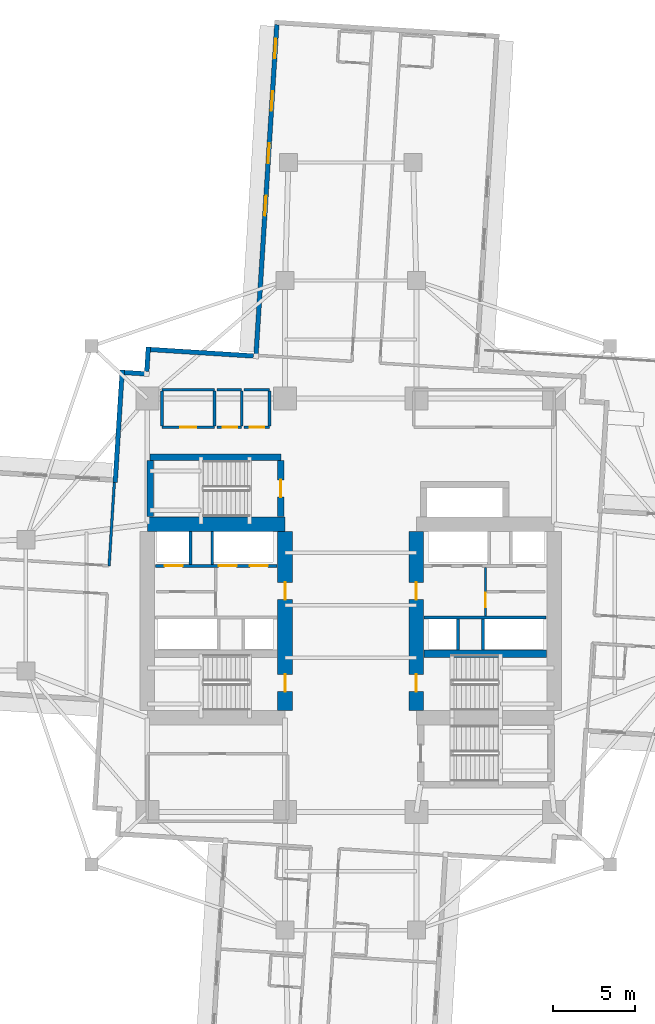
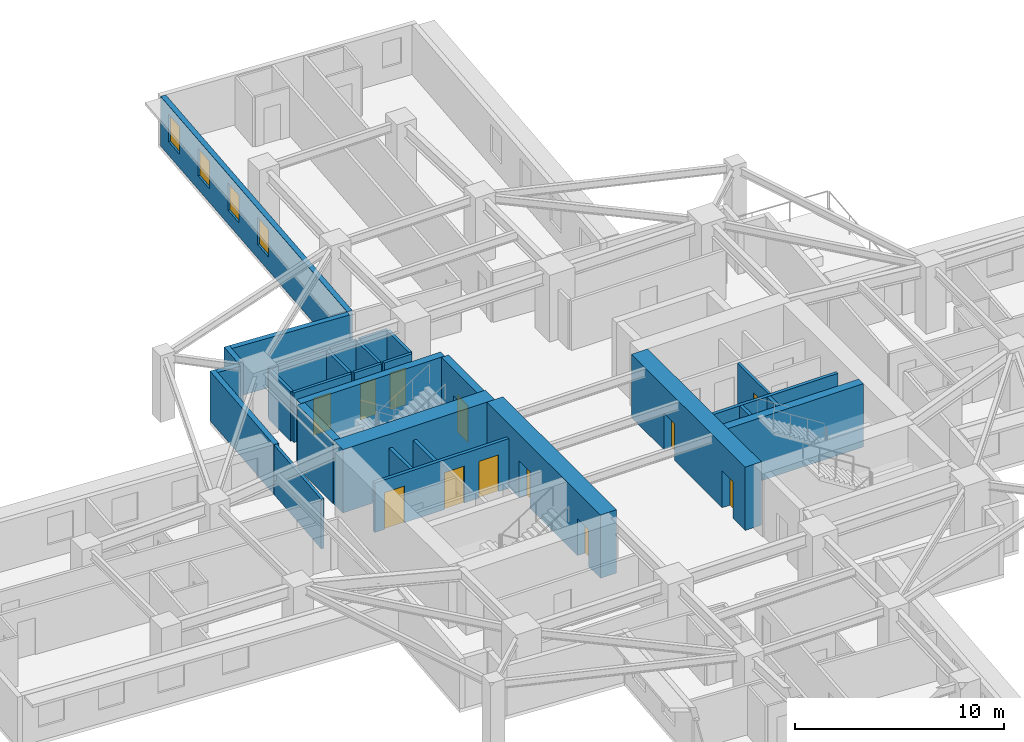
# One storey, part 6 of 14: 30 walls, 12 doors, 4 windows, 16 openings.
"""IFC4 building model written with IfcOpenShell, lengths in metres."""

from ifc_helpers import new_model, si_unit, direction, frame, frame_2d, origin, place, context, subcontext, project, spatial, rectangle, extrude, material, layer, layer_set, type_object, element, fill, save


model = new_model("IFC4")

# Units and contexts
model_context = context("Model", 3, precision=1e-05, world=origin(), true_north=direction((0.0, 1.0)))
body_context = subcontext(model_context, "Body", "Model", "MODEL_VIEW")
ifc_project = project(units=[si_unit("LENGTHUNIT", "METRE"), si_unit("AREAUNIT", "SQUARE_METRE"), si_unit("VOLUMEUNIT", "CUBIC_METRE"), si_unit("PLANEANGLEUNIT", "RADIAN"), si_unit("MASSUNIT", "GRAM", prefix="KILO")], contexts=[model_context])

# Site, building, storey
site_placement = place(None, origin())
site = spatial("IfcSite", under=ifc_project, at=site_placement, CompositionType="ELEMENT")
building_placement = place(site_placement, origin())
building = spatial("IfcBuilding", under=site, at=building_placement, Name="Qingluan Cross Belvedere", CompositionType="ELEMENT")
storey_placement = place(building_placement, frame((0.0, 0.0, 79.5)))
storey = spatial("IfcBuildingStorey", under=building, at=storey_placement, Name="L20", CompositionType="ELEMENT", Elevation=79.5)

# Walls
ifc_material_1 = material(Name="Concrete C50", Category="concrete")
ifc_layer_1 = layer(ifc_material_1, 0.449951171875, Name="CoreShearWall_450")
ifc_layer_set_1 = layer_set([ifc_layer_1], Name="Concrete C50")
wall_type_1 = type_object("IfcWallType", Name="CoreShearWall_450", PredefinedType="SHEAR", material=ifc_layer_set_1)
wall_1_placement = place(storey_placement, frame((4.455078125, -2.9599609375, 0.0), z_axis=(0.0, 0.0, 1.0), x_axis=(1.0, 0.0, 0.0)))
element("IfcWall", 1, at=wall_1_placement, inside=storey, type_object=wall_type_1, Name="Split core E shear wall L20-M", PredefinedType="SHEAR", context=body_context, shape_type="SweptSolid", body=[
    extrude(rectangle(XDim=7.489990234375, YDim=0.449951171875, at=frame_2d((3.7451171875, 0.0))), origin(), (0.0, 0.0, 1.0), 3.699951171875),
])
wall_2_placement = place(storey_placement, frame((-12.219970703125, 9.0400390625, 0.0), z_axis=(0.0, 0.0, 1.0), x_axis=(1.0, 0.0, 0.0)))
element("IfcWall", 2, at=wall_2_placement, inside=storey, type_object=wall_type_1, Name="Stair ST3 structural wall N L20", PredefinedType="SHEAR", context=body_context, shape_type="SweptSolid", body=[
    extrude(rectangle(XDim=7.9599609375, YDim=0.39990234375, at=frame_2d((3.97998046875, 0.0))), origin(), (0.0, 0.0, 1.0), 3.699951171875),
])
wall_3_placement = place(storey_placement, frame((-12.219970703125, 5.405029296875, 0.0), z_axis=(0.0, 0.0, 1.0), x_axis=(0.0, 1.0, 0.0)))
element("IfcWall", 3, at=wall_3_placement, inside=storey, type_object=wall_type_1, Name="Stair ST3 structural wall W L20", PredefinedType="SHEAR", context=body_context, shape_type="SweptSolid", body=[
    extrude(rectangle(XDim=3.429931640625, YDim=0.39990234375, at=frame_2d((1.71484375, 0.0))), origin(), (0.0, 0.0, 1.0), 3.699951171875),
])

# Wall, opening, door
wall_4_placement = place(storey_placement, frame((-4.260009765625, 5.405029296875, 0.0), z_axis=(0.0, 0.0, 1.0), x_axis=(0.0, 1.0, 0.0)))
wall_4 = element("IfcWall", 4, at=wall_4_placement, inside=storey, type_object=wall_type_1, Name="Stair ST3 structural wall E L20", PredefinedType="SHEAR", context=body_context, shape_type="SweptSolid", body=[
    extrude(rectangle(XDim=3.429931640625, YDim=0.39990234375, at=frame_2d((1.71484375, 0.0))), origin(), (0.0, 0.0, 1.0), 3.699951171875),
])
opening_1_placement = place(wall_4_placement, frame((1.195068359375, 0.0, 0.0)))
opening_1 = element("IfcOpeningElement", 5, at=opening_1_placement, cuts=wall_4, Name="Opening FD-B11", PredefinedType="OPENING", context=body_context, shape_type="SweptSolid", body=[
    extrude(rectangle(XDim=1.050048828125, YDim=2.14990234375, at=frame_2d((0.52490234375, 1.074951171875))), frame((0.0, 0.2099609375, 0.0), z_axis=(0.0, -1.0, 0.0), x_axis=(1.0, 0.0, 0.0)), (0.0, 0.0, 1.0), 0.419921875),
])
ifc_material_2 = material(Name="Steel Class B smoke-seal fire door", Category="steel")
door_type_1 = type_object("IfcDoorType", Name="StairLobbyFireDoor_FDB", OperationType="NOTDEFINED", PredefinedType="DOOR", material=ifc_material_2)
door_1_placement = place(opening_1_placement, origin())
door_1 = element("IfcDoor", 6, at=door_1_placement, inside=storey, type_object=door_type_1, Name="Smoke-proof stair ST3 fire door L20", OperationType="SINGLE_SWING_RIGHT", OverallHeight=2.14990234375, OverallWidth=1.050048828125, PredefinedType="DOOR", context=body_context, shape_type="SweptSolid", body=[
    extrude(rectangle(XDim=1.050048828125, YDim=2.14990234375, at=frame_2d((0.52490234375, 1.074951171875))), frame((0.0, 0.02490234375, 0.0), z_axis=(0.0, -1.0, 0.0), x_axis=(1.0, 0.0, 0.0)), (0.0, 0.0, 1.0), 0.050048828125),
])
fill(opening_1, door_1)

# Wall
ifc_material_3 = material(Name="Concrete C70", Category="concrete")
ifc_layer_2 = layer(ifc_material_3, 0.89990234375, Name="CoreShearWall_900")
ifc_layer_set_2 = layer_set([ifc_layer_2], Name="Concrete C70")
wall_type_2 = type_object("IfcWallType", Name="CoreShearWall_900", PredefinedType="SHEAR", material=ifc_layer_set_2)
wall_5_placement = place(storey_placement, frame((-12.39990234375, 4.949951171875, 0.0), z_axis=(0.0, 0.0, 1.0), x_axis=(1.0, 0.0, 0.0)))
element("IfcWall", 7, at=wall_5_placement, inside=storey, type_object=wall_type_2, Name="Split core W shear wall L20-N", PredefinedType="SHEAR", context=body_context, shape_type="SweptSolid", body=[
    extrude(rectangle(XDim=8.39990234375, YDim=0.89990234375, at=frame_2d((4.199951171875, 0.0))), origin(), (0.0, 0.0, 1.0), 3.699951171875),
])

# Wall, openings, doors
wall_6_placement = place(storey_placement, frame((-4.0, -6.39501953125, 0.0), z_axis=(0.0, 0.0, 1.0), x_axis=(0.0, 1.0, 0.0)))
wall_6 = element("IfcWall", 8, at=wall_6_placement, inside=storey, type_object=wall_type_2, Name="Split core W shear wall L20-E", PredefinedType="SHEAR", context=body_context, shape_type="SweptSolid", body=[
    extrude(rectangle(XDim=10.89013671875, YDim=0.89990234375, at=frame_2d((5.445068359375, 0.0))), origin(), (0.0, 0.0, 1.0), 3.699951171875),
])
opening_2_placement = place(wall_6_placement, frame((1.14501953125, 0.0, 0.0)))
opening_2 = element("IfcOpeningElement", 9, at=opening_2_placement, cuts=wall_6, Name="Opening FD-B11", PredefinedType="OPENING", context=body_context, shape_type="SweptSolid", body=[
    extrude(rectangle(XDim=1.050048828125, YDim=2.14990234375, at=frame_2d((0.52490234375, 1.074951171875))), frame((0.0, 0.4599609375, 0.0), z_axis=(0.0, -1.0, 0.0), x_axis=(1.0, 0.0, 0.0)), (0.0, 0.0, 1.0), 0.919921875),
])
opening_3_placement = place(wall_6_placement, frame((6.7451171875, 0.0, 0.0)))
opening_3 = element("IfcOpeningElement", 10, at=opening_3_placement, cuts=wall_6, Name="Opening FD-B11", PredefinedType="OPENING", context=body_context, shape_type="SweptSolid", body=[
    extrude(rectangle(XDim=1.050048828125, YDim=2.14990234375, at=frame_2d((0.52490234375, 1.074951171875))), frame((0.0, 0.4599609375, 0.0), z_axis=(0.0, -1.0, 0.0), x_axis=(1.0, 0.0, 0.0)), (0.0, 0.0, 1.0), 0.919921875),
])
door_2_placement = place(opening_2_placement, origin())
door_2 = element("IfcDoor", 11, at=door_2_placement, inside=storey, type_object=door_type_1, Name="Smoke-proof stair ST1 fire door L20", OperationType="SINGLE_SWING_RIGHT", OverallHeight=2.14990234375, OverallWidth=1.050048828125, PredefinedType="DOOR", context=body_context, shape_type="SweptSolid", body=[
    extrude(rectangle(XDim=1.050048828125, YDim=2.14990234375, at=frame_2d((0.52490234375, 1.074951171875))), frame((0.0, 0.02490234375, 0.0), z_axis=(0.0, -1.0, 0.0), x_axis=(1.0, 0.0, 0.0)), (0.0, 0.0, 1.0), 0.050048828125),
])
fill(opening_2, door_2)
door_3_placement = place(opening_3_placement, origin())
door_3 = element("IfcDoor", 12, at=door_3_placement, inside=storey, type_object=door_type_1, Name="Firefighting lobby West fire door L20", OperationType="SINGLE_SWING_RIGHT", OverallHeight=2.14990234375, OverallWidth=1.050048828125, PredefinedType="DOOR", context=body_context, shape_type="SweptSolid", body=[
    extrude(rectangle(XDim=1.050048828125, YDim=2.14990234375, at=frame_2d((0.52490234375, 1.074951171875))), frame((0.0, 0.02490234375, 0.0), z_axis=(0.0, -1.0, 0.0), x_axis=(1.0, 0.0, 0.0)), (0.0, 0.0, 1.0), 0.050048828125),
])
fill(opening_3, door_3)

wall_7_placement = place(storey_placement, frame((4.0, -6.39501953125, 0.0), z_axis=(0.0, 0.0, 1.0), x_axis=(0.0, 1.0, 0.0)))
wall_7 = element("IfcWall", 13, at=wall_7_placement, inside=storey, type_object=wall_type_2, Name="Split core E shear wall L20-W", PredefinedType="SHEAR", context=body_context, shape_type="SweptSolid", body=[
    extrude(rectangle(XDim=10.89013671875, YDim=0.89990234375, at=frame_2d((5.445068359375, 0.0))), origin(), (0.0, 0.0, 1.0), 3.699951171875),
])
opening_4_placement = place(wall_7_placement, frame((1.14501953125, 0.0, 0.0)))
opening_4 = element("IfcOpeningElement", 14, at=opening_4_placement, cuts=wall_7, Name="Opening FD-B11", PredefinedType="OPENING", context=body_context, shape_type="SweptSolid", body=[
    extrude(rectangle(XDim=1.050048828125, YDim=2.14990234375, at=frame_2d((0.52490234375, 1.074951171875))), frame((0.0, 0.4599609375, 0.0), z_axis=(0.0, -1.0, 0.0), x_axis=(1.0, 0.0, 0.0)), (0.0, 0.0, 1.0), 0.919921875),
])
opening_5_placement = place(wall_7_placement, frame((6.7451171875, 0.0, 0.0)))
opening_5 = element("IfcOpeningElement", 15, at=opening_5_placement, cuts=wall_7, Name="Opening FD-B11", PredefinedType="OPENING", context=body_context, shape_type="SweptSolid", body=[
    extrude(rectangle(XDim=1.050048828125, YDim=2.14990234375, at=frame_2d((0.52490234375, 1.074951171875))), frame((0.0, 0.4599609375, 0.0), z_axis=(0.0, -1.0, 0.0), x_axis=(1.0, 0.0, 0.0)), (0.0, 0.0, 1.0), 0.919921875),
])
door_4_placement = place(opening_4_placement, origin())
door_4 = element("IfcDoor", 16, at=door_4_placement, inside=storey, type_object=door_type_1, Name="Smoke-proof stair ST2 fire door L20", OperationType="SINGLE_SWING_LEFT", OverallHeight=2.14990234375, OverallWidth=1.050048828125, PredefinedType="DOOR", context=body_context, shape_type="SweptSolid", body=[
    extrude(rectangle(XDim=1.050048828125, YDim=2.14990234375, at=frame_2d((0.52490234375, 1.074951171875))), frame((0.0, 0.02490234375, 0.0), z_axis=(0.0, -1.0, 0.0), x_axis=(1.0, 0.0, 0.0)), (0.0, 0.0, 1.0), 0.050048828125),
])
fill(opening_4, door_4)
door_5_placement = place(opening_5_placement, origin())
door_5 = element("IfcDoor", 17, at=door_5_placement, inside=storey, type_object=door_type_1, Name="Firefighting lobby East fire door L20", OperationType="SINGLE_SWING_LEFT", OverallHeight=2.14990234375, OverallWidth=1.050048828125, PredefinedType="DOOR", context=body_context, shape_type="SweptSolid", body=[
    extrude(rectangle(XDim=1.050048828125, YDim=2.14990234375, at=frame_2d((0.52490234375, 1.074951171875))), frame((0.0, 0.02490234375, 0.0), z_axis=(0.0, -1.0, 0.0), x_axis=(1.0, 0.0, 0.0)), (0.0, 0.0, 1.0), 0.050048828125),
])
fill(opening_5, door_5)

# Wall, opening, door
ifc_material_4 = material(Name="Gypsum plasterboard on steel stud acoustic partition", Category="steel")
ifc_layer_3 = layer(ifc_material_4, 0.159912109375, Name="CorridorPartition_160")
ifc_layer_set_3 = layer_set([ifc_layer_3], Name="Gypsum plasterboard on steel stud acoustic partition")
wall_type_3 = type_object("IfcWallType", Name="CorridorPartition_160", PredefinedType="PARTITIONING", material=ifc_layer_set_3)
wall_8_placement = place(storey_placement, frame((-11.5, 10.85009765625, 0.0), z_axis=(0.0, 0.0, 1.0), x_axis=(1.0, 0.0, 0.0)))
wall_8 = element("IfcWall", 18, at=wall_8_placement, inside=storey, type_object=wall_type_3, Name="Partition L20:q_nw_occ:S", PredefinedType="PARTITIONING", context=body_context, shape_type="SweptSolid", body=[
    extrude(rectangle(XDim=3.199951171875, YDim=0.159912109375, at=frame_2d((1.60009765625, 0.0))), origin(), (0.0, 0.0, 1.0), 2.89990234375),
])
opening_6_placement = place(wall_8_placement, frame((1.1201171875, 0.0, 0.0)))
opening_6 = element("IfcOpeningElement", 19, at=opening_6_placement, cuts=wall_8, Name="Opening GD-10", PredefinedType="OPENING", context=body_context, shape_type="SweptSolid", body=[
    extrude(rectangle(XDim=0.9599609375, YDim=2.14990234375, at=frame_2d((0.47998046875, 1.074951171875))), frame((0.0, 0.08984375, 0.0), z_axis=(0.0, -1.0, 0.0), x_axis=(1.0, 0.0, 0.0)), (0.0, 0.0, 1.0), 0.179931640625),
])
ifc_material_5 = material(Name="Timber oak fire-rated acoustic guestroom door", Category="wood")
door_type_2 = type_object("IfcDoorType", Name="GuestEntryDoor_FD60", OperationType="NOTDEFINED", PredefinedType="DOOR", material=ifc_material_5)
door_6_placement = place(opening_6_placement, origin())
door_6 = element("IfcDoor", 20, at=door_6_placement, inside=storey, type_object=door_type_2, Name="Northwest corner reading salon L20 door", OperationType="SINGLE_SWING_RIGHT", OverallHeight=2.14990234375, OverallWidth=0.9599609375, PredefinedType="DOOR", context=body_context, shape_type="SweptSolid", body=[
    extrude(rectangle(XDim=0.9599609375, YDim=2.14990234375, at=frame_2d((0.47998046875, 1.074951171875))), frame((0.0, 0.02490234375, 0.0), z_axis=(0.0, -1.0, 0.0), x_axis=(1.0, 0.0, 0.0)), (0.0, 0.0, 1.0), 0.050048828125),
])
fill(opening_6, door_6)

# Walls
wall_9_placement = place(storey_placement, frame((-11.5, 13.14990234375, 0.0), z_axis=(0.0, 0.0, 1.0), x_axis=(1.0, 0.0, 0.0)))
element("IfcWall", 21, at=wall_9_placement, inside=storey, type_object=wall_type_3, Name="Partition L20:q_nw_occ:N", PredefinedType="PARTITIONING", context=body_context, shape_type="SweptSolid", body=[
    extrude(rectangle(XDim=3.199951171875, YDim=0.159912109375, at=frame_2d((1.60009765625, 0.0))), origin(), (0.0, 0.0, 1.0), 2.89990234375),
])
for number, where, z_axis, x_axis, name in (
    (22, (-11.5, 10.93505859375, 0.0), (0.0, 0.0, 1.0), (0.0, 1.0, 0.0), "Partition L20:q_nw_occ:W"),
    (23, (-8.300048828125, 10.93505859375, 0.0), (0.0, 0.0, 1.0), (0.0, 1.0, 0.0), "Partition L20:q_nw_occ:E"),
):
    element("IfcWall", number, at=place(storey_placement, frame(where, z_axis=z_axis, x_axis=x_axis)), inside=storey, type_object=wall_type_3, Name=name, PredefinedType="PARTITIONING", context=body_context, shape_type="SweptSolid", body=[
        extrude(rectangle(XDim=2.1298828125, YDim=0.159912109375, at=frame_2d((1.06494140625, 0.0))), origin(), (0.0, 0.0, 1.0), 2.89990234375),
    ])

# Wall, opening, door
wall_10_placement = place(storey_placement, frame((-8.139892578125, 10.85009765625, 0.0), z_axis=(0.0, 0.0, 1.0), x_axis=(1.0, 0.0, 0.0)))
wall_10 = element("IfcWall", 24, at=wall_10_placement, inside=storey, type_object=wall_type_3, Name="Partition L20:hk_linen:S", PredefinedType="PARTITIONING", context=body_context, shape_type="SweptSolid", body=[
    extrude(rectangle(XDim=1.489990234375, YDim=0.159912109375, at=frame_2d((0.7451171875, 0.0))), origin(), (0.0, 0.0, 1.0), 2.89990234375),
])
opening_7_placement = place(wall_10_placement, frame((0.35009765625, 0.0, 0.0)))
opening_7 = element("IfcOpeningElement", 25, at=opening_7_placement, cuts=wall_10, Name="Opening FD-B10", PredefinedType="OPENING", context=body_context, shape_type="SweptSolid", body=[
    extrude(rectangle(XDim=0.8798828125, YDim=2.10009765625, at=frame_2d((0.43994140625, 1.050048828125))), frame((0.0, 0.08984375, 0.0), z_axis=(0.0, -1.0, 0.0), x_axis=(1.0, 0.0, 0.0)), (0.0, 0.0, 1.0), 0.179931640625),
])
ifc_material_6 = material(Name="Steel Class B service fire door", Category="steel")
door_type_3 = type_object("IfcDoorType", Name="RiserServiceFireDoor_FDB", OperationType="NOTDEFINED", PredefinedType="DOOR", material=ifc_material_6)
door_7_placement = place(opening_7_placement, origin())
door_7 = element("IfcDoor", 26, at=door_7_placement, inside=storey, type_object=door_type_3, Name="Housekeeping and linen store L20 door", OperationType="SINGLE_SWING_LEFT", OverallHeight=2.10009765625, OverallWidth=0.8798828125, PredefinedType="DOOR", context=body_context, shape_type="SweptSolid", body=[
    extrude(rectangle(XDim=0.8798828125, YDim=2.10009765625, at=frame_2d((0.43994140625, 1.050048828125))), frame((0.0, 0.02490234375, 0.0), z_axis=(0.0, -1.0, 0.0), x_axis=(1.0, 0.0, 0.0)), (0.0, 0.0, 1.0), 0.050048828125),
])
fill(opening_7, door_7)

# Walls
wall_11_placement = place(storey_placement, frame((-8.139892578125, 13.14990234375, 0.0), z_axis=(0.0, 0.0, 1.0), x_axis=(1.0, 0.0, 0.0)))
element("IfcWall", 27, at=wall_11_placement, inside=storey, type_object=wall_type_3, Name="Partition L20:hk_linen:N", PredefinedType="PARTITIONING", context=body_context, shape_type="SweptSolid", body=[
    extrude(rectangle(XDim=1.489990234375, YDim=0.159912109375, at=frame_2d((0.7451171875, 0.0))), origin(), (0.0, 0.0, 1.0), 2.89990234375),
])
wall_12_placement = place(storey_placement, frame((-6.64990234375, 10.93505859375, 0.0), z_axis=(0.0, 0.0, 1.0), x_axis=(0.0, 1.0, 0.0)))
element("IfcWall", 28, at=wall_12_placement, inside=storey, type_object=wall_type_3, Name="Partition L20:hk_linen:E", PredefinedType="PARTITIONING", context=body_context, shape_type="SweptSolid", body=[
    extrude(rectangle(XDim=2.1298828125, YDim=0.159912109375, at=frame_2d((1.06494140625, 0.0))), origin(), (0.0, 0.0, 1.0), 2.89990234375),
])

# Wall, opening, door
wall_13_placement = place(storey_placement, frame((-6.489990234375, 10.85009765625, 0.0), z_axis=(0.0, 0.0, 1.0), x_axis=(1.0, 0.0, 0.0)))
wall_13 = element("IfcWall", 29, at=wall_13_placement, inside=storey, type_object=wall_type_3, Name="Partition L20:floor_acc_wc:S", PredefinedType="PARTITIONING", context=body_context, shape_type="SweptSolid", body=[
    extrude(rectangle(XDim=1.5400390625, YDim=0.159912109375, at=frame_2d((0.77001953125, 0.0))), origin(), (0.0, 0.0, 1.0), 2.89990234375),
])
opening_8_placement = place(wall_13_placement, frame((0.35009765625, 0.0, 0.0)))
opening_8 = element("IfcOpeningElement", 30, at=opening_8_placement, cuts=wall_13, Name="Opening BD-08", PredefinedType="OPENING", context=body_context, shape_type="SweptSolid", body=[
    extrude(rectangle(XDim=0.8798828125, YDim=2.14990234375, at=frame_2d((0.43994140625, 1.074951171875))), frame((0.0, 0.08984375, 0.0), z_axis=(0.0, -1.0, 0.0), x_axis=(1.0, 0.0, 0.0)), (0.0, 0.0, 1.0), 0.179931640625),
])
ifc_material_7 = material(Name="Moisture-sealed timber accessible WC door", Category="wood")
door_type_4 = type_object("IfcDoorType", Name="AccessibleWCDoor_880", OperationType="NOTDEFINED", PredefinedType="DOOR", material=ifc_material_7)
door_8_placement = place(opening_8_placement, origin())
door_8 = element("IfcDoor", 31, at=door_8_placement, inside=storey, type_object=door_type_4, Name="Accessible guest washroom L20 door", OperationType="SINGLE_SWING_RIGHT", OverallHeight=2.14990234375, OverallWidth=0.8798828125, PredefinedType="DOOR", context=body_context, shape_type="SweptSolid", body=[
    extrude(rectangle(XDim=0.8798828125, YDim=2.14990234375, at=frame_2d((0.43994140625, 1.074951171875))), frame((0.0, 0.02490234375, 0.0), z_axis=(0.0, -1.0, 0.0), x_axis=(1.0, 0.0, 0.0)), (0.0, 0.0, 1.0), 0.050048828125),
])
fill(opening_8, door_8)

# Walls
wall_14_placement = place(storey_placement, frame((-6.489990234375, 13.14990234375, 0.0), z_axis=(0.0, 0.0, 1.0), x_axis=(1.0, 0.0, 0.0)))
element("IfcWall", 32, at=wall_14_placement, inside=storey, type_object=wall_type_3, Name="Partition L20:floor_acc_wc:N", PredefinedType="PARTITIONING", context=body_context, shape_type="SweptSolid", body=[
    extrude(rectangle(XDim=1.5400390625, YDim=0.159912109375, at=frame_2d((0.77001953125, 0.0))), origin(), (0.0, 0.0, 1.0), 2.89990234375),
])
wall_15_placement = place(storey_placement, frame((-4.949951171875, 10.93505859375, 0.0), z_axis=(0.0, 0.0, 1.0), x_axis=(0.0, 1.0, 0.0)))
element("IfcWall", 33, at=wall_15_placement, inside=storey, type_object=wall_type_3, Name="Partition L20:floor_acc_wc:E", PredefinedType="PARTITIONING", context=body_context, shape_type="SweptSolid", body=[
    extrude(rectangle(XDim=2.1298828125, YDim=0.159912109375, at=frame_2d((1.06494140625, 0.0))), origin(), (0.0, 0.0, 1.0), 2.89990234375),
])
wall_16_placement = place(storey_placement, frame((-14.727783203125, 2.409423828125, 0.0), z_axis=(0.0, 0.0, 1.0), x_axis=(0.06280810744, 0.998025621735, 0.0)))
element("IfcWall", 34, at=wall_16_placement, inside=storey, type_object=wall_type_3, Name="Partition L20:W:s0", PredefinedType="PARTITIONING", context=body_context, shape_type="SweptSolid", body=[
    extrude(rectangle(XDim=5.092041015625, YDim=0.159912109375, at=frame_2d((2.5458984375, 0.0))), origin(), (0.0, 0.0, 1.0), 2.89990234375),
])

# Wall, openings, windows
ifc_material_8 = material(Name="Precast concrete C45", Category="concrete")
ifc_layer_4 = layer(ifc_material_8, 0.280029296875, Name="PrecastFacadeWall_280")
ifc_layer_set_4 = layer_set([ifc_layer_4], Name="Precast concrete C45")
wall_type_4 = type_object("IfcWallType", Name="PrecastFacadeWall_280", PredefinedType="STANDARD", material=ifc_layer_set_4)
wall_17_placement = place(storey_placement, frame((-4.506591796875, 35.392822265625, 0.0), z_axis=(0.0, 0.0, 1.0), x_axis=(-0.062784355807, -0.998027116198, 0.0)))
wall_17 = element("IfcWall", 35, at=wall_17_placement, inside=storey, type_object=wall_type_4, Name="Facade wall L20-NB", PredefinedType="STANDARD", context=body_context, shape_type="SweptSolid", body=[
    extrude(rectangle(XDim=20.099853515625, YDim=0.280029296875, at=frame_2d((10.0498046875, 0.0))), origin(), (0.0, 0.0, 1.0), 2.909912109375),
])
opening_9_placement = place(wall_17_placement, frame((0.85009765625, 0.0, 0.800048828125)))
opening_9 = element("IfcOpeningElement", 36, at=opening_9_placement, cuts=wall_17, Name="Opening W-02", PredefinedType="OPENING", context=body_context, shape_type="SweptSolid", body=[
    extrude(rectangle(XDim=1.199951171875, YDim=1.60009765625, at=frame_2d((0.60009765625, 0.800048828125))), frame((0.0, 0.14990234375, 0.0), z_axis=(0.0, -1.0, 0.0), x_axis=(1.0, 0.0, 0.0)), (0.0, 0.0, 1.0), 0.300048828125),
])
opening_10_placement = place(wall_17_placement, frame((4.050048828125, 0.0, 0.800048828125)))
opening_10 = element("IfcOpeningElement", 37, at=opening_10_placement, cuts=wall_17, Name="Opening W-02", PredefinedType="OPENING", context=body_context, shape_type="SweptSolid", body=[
    extrude(rectangle(XDim=1.199951171875, YDim=1.60009765625, at=frame_2d((0.60009765625, 0.800048828125))), frame((0.0, 0.14990234375, 0.0), z_axis=(0.0, -1.0, 0.0), x_axis=(1.0, 0.0, 0.0)), (0.0, 0.0, 1.0), 0.300048828125),
])
opening_11_placement = place(wall_17_placement, frame((7.25, 0.0, 0.800048828125)))
opening_11 = element("IfcOpeningElement", 38, at=opening_11_placement, cuts=wall_17, Name="Opening W-02", PredefinedType="OPENING", context=body_context, shape_type="SweptSolid", body=[
    extrude(rectangle(XDim=1.199951171875, YDim=1.60009765625, at=frame_2d((0.60009765625, 0.800048828125))), frame((0.0, 0.14990234375, 0.0), z_axis=(0.0, -1.0, 0.0), x_axis=(1.0, 0.0, 0.0)), (0.0, 0.0, 1.0), 0.300048828125),
])
opening_12_placement = place(wall_17_placement, frame((10.449951171875, 0.0, 0.800048828125)))
opening_12 = element("IfcOpeningElement", 39, at=opening_12_placement, cuts=wall_17, Name="Opening W-02", PredefinedType="OPENING", context=body_context, shape_type="SweptSolid", body=[
    extrude(rectangle(XDim=1.199951171875, YDim=1.60009765625, at=frame_2d((0.60009765625, 0.800048828125))), frame((0.0, 0.14990234375, 0.0), z_axis=(0.0, -1.0, 0.0), x_axis=(1.0, 0.0, 0.0)), (0.0, 0.0, 1.0), 0.300048828125),
])
ifc_material_9 = material(Name="Thermally broken triple Low-E glass in aluminium frame", Category="aluminium")
window_type = type_object("IfcWindowType", Name="TriRibbonWin_1200x1600", PartitioningType="SINGLE_PANEL", PredefinedType="WINDOW", material=ifc_material_9)
window_1_placement = place(opening_9_placement, origin())
window_1 = element("IfcWindow", 40, at=window_1_placement, inside=storey, type_object=window_type, Name="Ribbon window L20-NB-1", OverallHeight=1.60009765625, OverallWidth=1.199951171875, PartitioningType="SINGLE_PANEL", PredefinedType="WINDOW", context=body_context, shape_type="SweptSolid", body=[
    extrude(rectangle(XDim=1.199951171875, YDim=1.60009765625, at=frame_2d((0.60009765625, 0.800048828125))), frame((0.0, 0.030029296875, 0.0), z_axis=(0.0, -1.0, 0.0), x_axis=(1.0, 0.0, 0.0)), (0.0, 0.0, 1.0), 0.06005859375),
])
fill(opening_9, window_1)
window_2_placement = place(opening_10_placement, origin())
window_2 = element("IfcWindow", 41, at=window_2_placement, inside=storey, type_object=window_type, Name="Ribbon window L20-NB-2", OverallHeight=1.60009765625, OverallWidth=1.199951171875, PartitioningType="SINGLE_PANEL", PredefinedType="WINDOW", context=body_context, shape_type="SweptSolid", body=[
    extrude(rectangle(XDim=1.199951171875, YDim=1.60009765625, at=frame_2d((0.60009765625, 0.800048828125))), frame((0.0, 0.030029296875, 0.0), z_axis=(0.0, -1.0, 0.0), x_axis=(1.0, 0.0, 0.0)), (0.0, 0.0, 1.0), 0.06005859375),
])
fill(opening_10, window_2)
window_3_placement = place(opening_11_placement, origin())
window_3 = element("IfcWindow", 42, at=window_3_placement, inside=storey, type_object=window_type, Name="Ribbon window L20-NB-3", OverallHeight=1.60009765625, OverallWidth=1.199951171875, PartitioningType="SINGLE_PANEL", PredefinedType="WINDOW", context=body_context, shape_type="SweptSolid", body=[
    extrude(rectangle(XDim=1.199951171875, YDim=1.60009765625, at=frame_2d((0.60009765625, 0.800048828125))), frame((0.0, 0.030029296875, 0.0), z_axis=(0.0, -1.0, 0.0), x_axis=(1.0, 0.0, 0.0)), (0.0, 0.0, 1.0), 0.06005859375),
])
fill(opening_11, window_3)
window_4_placement = place(opening_12_placement, origin())
window_4 = element("IfcWindow", 43, at=window_4_placement, inside=storey, type_object=window_type, Name="Ribbon window L20-NB-4", OverallHeight=1.60009765625, OverallWidth=1.199951171875, PartitioningType="SINGLE_PANEL", PredefinedType="WINDOW", context=body_context, shape_type="SweptSolid", body=[
    extrude(rectangle(XDim=1.199951171875, YDim=1.60009765625, at=frame_2d((0.60009765625, 0.800048828125))), frame((0.0, 0.030029296875, 0.0), z_axis=(0.0, -1.0, 0.0), x_axis=(1.0, 0.0, 0.0)), (0.0, 0.0, 1.0), 0.06005859375),
])
fill(opening_12, window_4)

# Walls
wall_18_placement = place(storey_placement, frame((-14.357666015625, 7.496337890625, 0.0), z_axis=(0.0, 0.0, 1.0), x_axis=(0.062779317195, 0.998027433156, 0.0)))
element("IfcWall", 44, at=wall_18_placement, inside=storey, type_object=wall_type_4, Name="Corner wall L20-NW1", PredefinedType="STANDARD", context=body_context, shape_type="SweptSolid", body=[
    extrude(rectangle(XDim=6.85986328125, YDim=0.280029296875, at=frame_2d((3.429931640625, 0.0))), origin(), (0.0, 0.0, 1.0), 2.909912109375),
])
wall_19_placement = place(storey_placement, frame((-13.7958984375, 14.1943359375, 0.0), z_axis=(0.0, 0.0, 1.0), x_axis=(0.998023660242, -0.06283926796, 0.0)))
element("IfcWall", 45, at=wall_19_placement, inside=storey, type_object=wall_type_4, Name="Corner wall L20-NW2", PredefinedType="STANDARD", context=body_context, shape_type="SweptSolid", body=[
    extrude(rectangle(XDim=1.219970703125, YDim=0.280029296875, at=frame_2d((0.60986328125, 0.0))), origin(), (0.0, 0.0, 1.0), 2.909912109375),
])
wall_20_placement = place(storey_placement, frame((-12.429931640625, 14.24853515625, 0.0), z_axis=(0.0, 0.0, 1.0), x_axis=(0.062824119533, 0.998024613927, 0.0)))
element("IfcWall", 46, at=wall_20_placement, inside=storey, type_object=wall_type_4, Name="Corner wall L20-NW3", PredefinedType="STANDARD", context=body_context, shape_type="SweptSolid", body=[
    extrude(rectangle(XDim=1.5, YDim=0.280029296875, at=frame_2d((0.75, 0.0))), origin(), (0.0, 0.0, 1.0), 2.909912109375),
])
wall_21_placement = place(storey_placement, frame((-12.20458984375, 15.59716796875, 0.0), z_axis=(0.0, 0.0, 1.0), x_axis=(0.998024885752, -0.062819801181, 0.0)))
element("IfcWall", 47, at=wall_21_placement, inside=storey, type_object=wall_type_4, Name="Corner wall L20-NW4", PredefinedType="STANDARD", context=body_context, shape_type="SweptSolid", body=[
    extrude(rectangle(XDim=6.2998046875, YDim=0.280029296875, at=frame_2d((3.14990234375, 0.0))), origin(), (0.0, 0.0, 1.0), 2.909912109375),
])

# Wall, openings, doors
ifc_material_10 = material(Name="Concrete C40", Category="concrete")
ifc_layer_5 = layer(ifc_material_10, 0.219970703125, Name="ShaftEnclosureWall_250")
ifc_layer_set_5 = layer_set([ifc_layer_5], Name="Concrete C40")
wall_type_5 = type_object("IfcWallType", Name="ShaftEnclosureWall_250", PredefinedType="SOLIDWALL", material=ifc_layer_set_5)
wall_22_placement = place(storey_placement, frame((-11.89990234375, 2.409912109375, 0.0), z_axis=(0.0, 0.0, 1.0), x_axis=(1.0, 0.0, 0.0)))
wall_22 = element("IfcWall", 48, at=wall_22_placement, inside=storey, type_object=wall_type_5, Name="Core-W north hoistway wall L20", PredefinedType="SOLIDWALL", context=body_context, shape_type="SweptSolid", body=[
    extrude(rectangle(XDim=7.419921875, YDim=0.179931640625, at=frame_2d((3.7099609375, 0.0))), origin(), (0.0, 0.0, 1.0), 2.89990234375),
])
opening_13_placement = place(wall_22_placement, frame((0.550048828125, 0.0, 0.0)))
opening_13 = element("IfcOpeningElement", 49, at=opening_13_placement, cuts=wall_22, Name="Opening LD-11", PredefinedType="OPENING", context=body_context, shape_type="SweptSolid", body=[
    extrude(rectangle(XDim=1.10009765625, YDim=2.14990234375, at=frame_2d((0.550048828125, 1.074951171875))), frame((0.0, 0.099853515625, 0.0), z_axis=(0.0, -1.0, 0.0), x_axis=(1.0, 0.0, 0.0)), (0.0, 0.0, 1.0), 0.199951171875),
])
opening_14_placement = place(wall_22_placement, frame((3.85009765625, 0.0, 0.0)))
opening_14 = element("IfcOpeningElement", 50, at=opening_14_placement, cuts=wall_22, Name="Opening LD-11", PredefinedType="OPENING", context=body_context, shape_type="SweptSolid", body=[
    extrude(rectangle(XDim=1.10009765625, YDim=2.14990234375, at=frame_2d((0.550048828125, 1.074951171875))), frame((0.0, 0.099853515625, 0.0), z_axis=(0.0, -1.0, 0.0), x_axis=(1.0, 0.0, 0.0)), (0.0, 0.0, 1.0), 0.199951171875),
])
opening_15_placement = place(wall_22_placement, frame((5.75, 0.0, 0.0)))
opening_15 = element("IfcOpeningElement", 51, at=opening_15_placement, cuts=wall_22, Name="Opening LD-11", PredefinedType="OPENING", context=body_context, shape_type="SweptSolid", body=[
    extrude(rectangle(XDim=1.10009765625, YDim=2.14990234375, at=frame_2d((0.550048828125, 1.074951171875))), frame((0.0, 0.099853515625, 0.0), z_axis=(0.0, -1.0, 0.0), x_axis=(1.0, 0.0, 0.0)), (0.0, 0.0, 1.0), 0.199951171875),
])
ifc_material_11 = material(Name="Brushed stainless steel centre-opening lift landing door", Category="steel")
door_type_5 = type_object("IfcDoorType", Name="LiftLandingSlidingDoor_1100", OperationType="DOUBLE_DOOR_SLIDING", PredefinedType="DOOR", material=ifc_material_11)
door_9_placement = place(opening_13_placement, origin())
door_9 = element("IfcDoor", 52, at=door_9_placement, inside=storey, type_object=door_type_5, Name="Lift landing sliding door FL1 L20", OperationType="DOUBLE_DOOR_SLIDING", OverallHeight=2.14990234375, OverallWidth=1.10009765625, PredefinedType="DOOR", context=body_context, shape_type="SweptSolid", body=[
    extrude(rectangle(XDim=1.10009765625, YDim=2.14990234375, at=frame_2d((0.550048828125, 1.074951171875))), frame((0.0, 0.02490234375, 0.0), z_axis=(0.0, -1.0, 0.0), x_axis=(1.0, 0.0, 0.0)), (0.0, 0.0, 1.0), 0.050048828125),
])
fill(opening_13, door_9)
door_10_placement = place(opening_14_placement, origin())
door_10 = element("IfcDoor", 53, at=door_10_placement, inside=storey, type_object=door_type_5, Name="Lift landing sliding door LP1 L20", OperationType="DOUBLE_DOOR_SLIDING", OverallHeight=2.14990234375, OverallWidth=1.10009765625, PredefinedType="DOOR", context=body_context, shape_type="SweptSolid", body=[
    extrude(rectangle(XDim=1.10009765625, YDim=2.14990234375, at=frame_2d((0.550048828125, 1.074951171875))), frame((0.0, 0.02490234375, 0.0), z_axis=(0.0, -1.0, 0.0), x_axis=(1.0, 0.0, 0.0)), (0.0, 0.0, 1.0), 0.050048828125),
])
fill(opening_14, door_10)
door_11_placement = place(opening_15_placement, origin())
door_11 = element("IfcDoor", 54, at=door_11_placement, inside=storey, type_object=door_type_5, Name="Lift landing sliding door LP2 L20", OperationType="DOUBLE_DOOR_SLIDING", OverallHeight=2.14990234375, OverallWidth=1.10009765625, PredefinedType="DOOR", context=body_context, shape_type="SweptSolid", body=[
    extrude(rectangle(XDim=1.10009765625, YDim=2.14990234375, at=frame_2d((0.550048828125, 1.074951171875))), frame((0.0, 0.02490234375, 0.0), z_axis=(0.0, -1.0, 0.0), x_axis=(1.0, 0.0, 0.0)), (0.0, 0.0, 1.0), 0.050048828125),
])
fill(opening_15, door_11)

# Walls
wall_23_placement = place(storey_placement, frame((4.47998046875, -0.75, 0.0), z_axis=(0.0, 0.0, 1.0), x_axis=(1.0, 0.0, 0.0)))
element("IfcWall", 55, at=wall_23_placement, inside=storey, type_object=wall_type_5, Name="Core-E mid hoistway wall L20", PredefinedType="SOLIDWALL", context=body_context, shape_type="SweptSolid", body=[
    extrude(rectangle(XDim=7.419921875, YDim=0.179931640625, at=frame_2d((3.7099609375, 0.0))), origin(), (0.0, 0.0, 1.0), 2.89990234375),
])
for number, where, z_axis, x_axis, name in (
    (56, (-9.760009765625, 2.5, 0.0), (0.0, 0.0, 1.0), (0.0, 1.0, 0.0), "Hoistway enclosure divider FL1E L20"),
    (57, (-8.43994140625, 2.5, 0.0), (0.0, 0.0, 1.0), (0.0, 1.0, 0.0), "Hoistway enclosure divider LP1W L20"),
):
    element("IfcWall", number, at=place(storey_placement, frame(where, z_axis=z_axis, x_axis=x_axis)), inside=storey, type_object=wall_type_5, Name=name, PredefinedType="SOLIDWALL", context=body_context, shape_type="SweptSolid", body=[
        extrude(rectangle(XDim=1.989990234375, YDim=0.179931640625, at=frame_2d((0.9951171875, 0.0))), origin(), (0.0, 0.0, 1.0), 2.89990234375),
    ])
for number, where, z_axis, x_axis, name in (
    (58, (6.5400390625, -2.72998046875, 0.0), (0.0, 0.0, 1.0), (0.0, 1.0, 0.0), "Hoistway enclosure divider LP7E L20"),
    (59, (8.06005859375, -2.72998046875, 0.0), (0.0, 0.0, 1.0), (0.0, 1.0, 0.0), "Hoistway enclosure divider LP9W L20"),
):
    element("IfcWall", number, at=place(storey_placement, frame(where, z_axis=z_axis, x_axis=x_axis)), inside=storey, type_object=wall_type_5, Name=name, PredefinedType="SOLIDWALL", context=body_context, shape_type="SweptSolid", body=[
        extrude(rectangle(XDim=1.889892578125, YDim=0.179931640625, at=frame_2d((0.94482421875, 0.0))), origin(), (0.0, 0.0, 1.0), 2.89990234375),
    ])

# Wall, opening, door
wall_24_placement = place(storey_placement, frame((8.219970703125, -0.64990234375, 0.0), z_axis=(0.0, 0.0, 1.0), x_axis=(0.0, 1.0, 0.0)))
wall_24 = element("IfcWall", 60, at=wall_24_placement, inside=storey, type_object=wall_type_5, Name="Core-E service corridor wall L20", PredefinedType="SOLIDWALL", context=body_context, shape_type="SweptSolid", body=[
    extrude(rectangle(XDim=2.9599609375, YDim=0.139892578125, at=frame_2d((1.47998046875, 0.0))), origin(), (0.0, 0.0, 1.0), 2.89990234375),
])
opening_16_placement = place(wall_24_placement, frame((0.550048828125, 0.0, 0.0)))
opening_16 = element("IfcOpeningElement", 61, at=opening_16_placement, cuts=wall_24, Name="Opening FD-B10", PredefinedType="OPENING", context=body_context, shape_type="SweptSolid", body=[
    extrude(rectangle(XDim=0.8798828125, YDim=2.10009765625, at=frame_2d((0.43994140625, 1.050048828125))), frame((0.0, 0.079833984375, 0.0), z_axis=(0.0, -1.0, 0.0), x_axis=(1.0, 0.0, 0.0)), (0.0, 0.0, 1.0), 0.159912109375),
])
door_12_placement = place(opening_16_placement, origin())
door_12 = element("IfcDoor", 62, at=door_12_placement, inside=storey, type_object=door_type_3, Name="Core-E service room door L20", OperationType="SINGLE_SWING_LEFT", OverallHeight=2.10009765625, OverallWidth=0.8798828125, PredefinedType="DOOR", context=body_context, shape_type="SweptSolid", body=[
    extrude(rectangle(XDim=0.8798828125, YDim=2.10009765625, at=frame_2d((0.43994140625, 1.050048828125))), frame((0.0, 0.02490234375, 0.0), z_axis=(0.0, -1.0, 0.0), x_axis=(1.0, 0.0, 0.0)), (0.0, 0.0, 1.0), 0.050048828125),
])
fill(opening_16, door_12)

save(model, "model.ifc")
